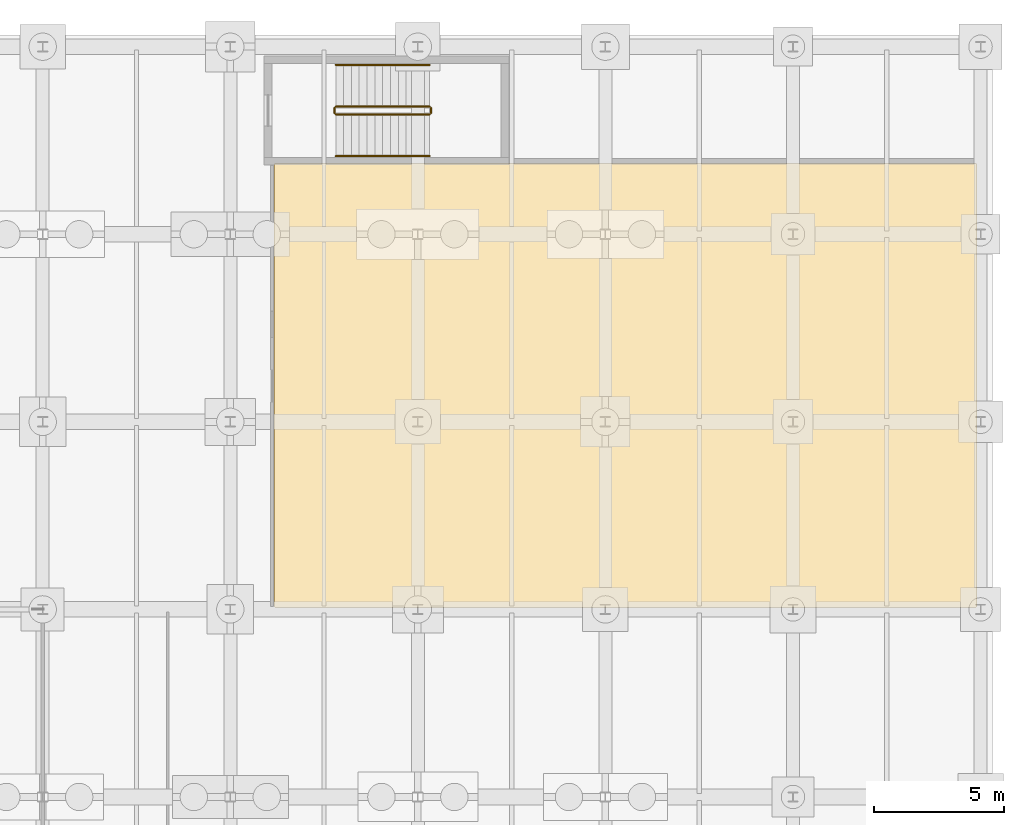
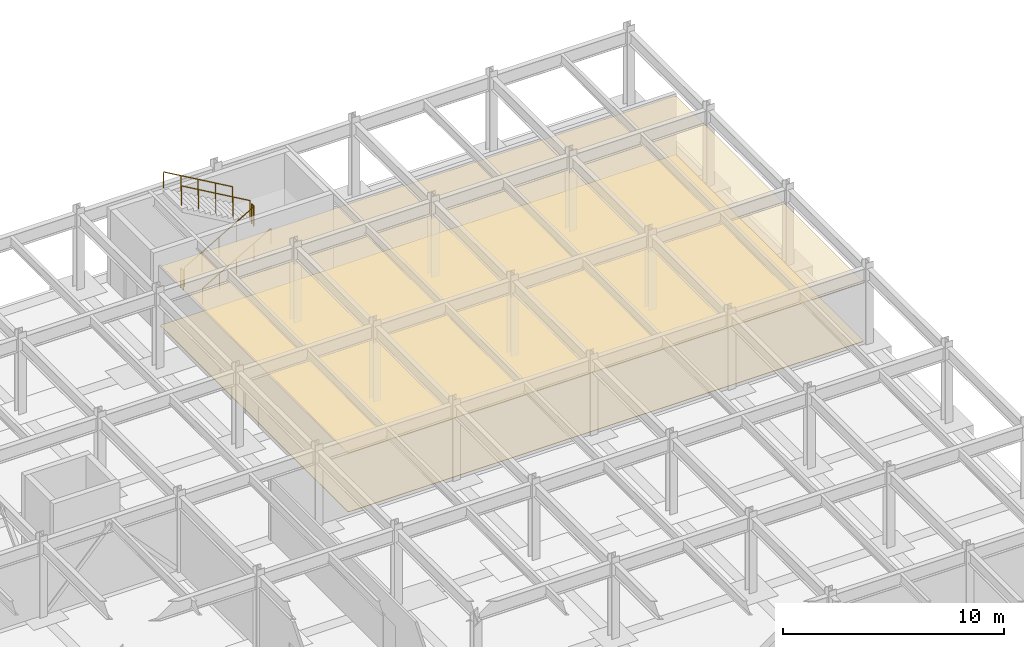
# One storey, part 53 of 54: 6 railings, 2 coverings.
"""IFC4 building model written with IfcOpenShell, lengths in metres."""

import ifcopenshell
import ifcopenshell.guid

model = None  # the IFC model being written
_history = None  # IfcOwnerHistory: only IFC2X3 demands one
_inside = {}  # id of a spatial element -> (the spatial element, [elements in it])
_under = {}  # id of a project, library or spatial element -> (it, [spatial elements below it])
_declared = {}  # id of a project -> (the project, [libraries it declares])
_typed = {}  # id of a type object -> (the type object, [elements of that type])
_made_of = {}  # id of a material, layer set ... -> (it, [elements and type objects made of it])


def new_model(schema):
    """Start an empty IFC model of exactly this schema.

    Asked for "IFC4X3", IfcOpenShell would pick the latest addendum, in which some entities
    have other attributes; the version numbers below select the first issue.
    IFC2X3 requires an IfcOwnerHistory on every rooted entity: one is made here for all.
    """
    global model, _history
    if schema == "IFC4X3":
        model = ifcopenshell.file(schema_version=(4, 3, 0, 0))
    else:
        model = ifcopenshell.file(schema=schema)
    _inside.clear()
    _under.clear()
    _declared.clear()
    _typed.clear()
    _made_of.clear()
    _history = None
    if model.schema == "IFC2X3":
        org = make("IfcOrganization", Name="unknown")
        user = make(
            "IfcPersonAndOrganization",
            ThePerson=make("IfcPerson", FamilyName="unknown"),
            TheOrganization=org,
        )
        app = make(
            "IfcApplication",
            ApplicationDeveloper=org,
            Version="unknown",
            ApplicationFullName="unknown",
            ApplicationIdentifier="unknown",
        )
        _history = make(
            "IfcOwnerHistory",
            OwningUser=user,
            OwningApplication=app,
            ChangeAction="ADDED",
            CreationDate=0,
        )
    return model


def make(cls, **values):
    """One entity of the class cls with the attributes given. An attribute that is None is left unset."""
    return model.create_entity(
        cls, **{name: value for name, value in values.items() if value is not None}
    )


def rooted(cls, **values):
    """An entity with a GlobalId (a new one), such as an element, a storey or a relation."""
    return make(cls, GlobalId=ifcopenshell.guid.new(), OwnerHistory=_history, **values)


def si_unit(unit_type, name, prefix=None):
    """IfcSIUnit, for example si_unit("LENGTHUNIT", "METRE", prefix="MILLI")."""
    return make("IfcSIUnit", UnitType=unit_type, Prefix=prefix, Name=name)


def assignment(units):
    """IfcUnitAssignment: the units of a project."""
    return None if units is None else make("IfcUnitAssignment", Units=units)


def point(xyz):
    """IfcCartesianPoint."""
    return None if xyz is None else make("IfcCartesianPoint", Coordinates=xyz)


def direction(xyz):
    """IfcDirection."""
    return None if xyz is None else make("IfcDirection", DirectionRatios=xyz)


def frame(location, z_axis=None, x_axis=None):
    """IfcAxis2Placement3D, a coordinate frame: its origin and axes. An axis left out is left unset."""
    return make(
        "IfcAxis2Placement3D",
        Location=point(location),
        Axis=direction(z_axis),
        RefDirection=direction(x_axis),
    )


def frame_2d(location, x_axis=None):
    """IfcAxis2Placement2D, a coordinate frame in the plane: its origin and x axis."""
    return make(
        "IfcAxis2Placement2D", Location=point(location), RefDirection=direction(x_axis)
    )


def origin():
    """The frame at (0, 0, 0) with its axes left unset."""
    return frame((0.0, 0.0, 0.0))


def origin_2d():
    """The frame at (0, 0) in the plane with its x axis left unset."""
    return frame_2d((0.0, 0.0))


def place(relative_to, where):
    """IfcLocalPlacement: puts the frame where relative to a parent placement (None: the world)."""
    return make(
        "IfcLocalPlacement", PlacementRelTo=relative_to, RelativePlacement=where
    )


def context(
    kind, dimensions, precision=None, world=None, true_north=None, identifier=None
):
    """IfcGeometricRepresentationContext, for example the 3D "Model" context."""
    return make(
        "IfcGeometricRepresentationContext",
        ContextIdentifier=identifier,
        ContextType=kind,
        CoordinateSpaceDimension=dimensions,
        Precision=precision,
        WorldCoordinateSystem=world,
        TrueNorth=true_north,
    )


def subcontext(parent, identifier, kind, view, scale=None):
    """IfcGeometricRepresentationSubContext, for example "Body" below "Model"."""
    return make(
        "IfcGeometricRepresentationSubContext",
        ContextIdentifier=identifier,
        ContextType=kind,
        ParentContext=parent,
        TargetScale=scale,
        TargetView=view,
    )


def project(units=None, contexts=None):
    """IfcProject with its units and contexts."""
    return rooted(
        "IfcProject",
        Name="project",
        RepresentationContexts=contexts,
        UnitsInContext=assignment(units),
    )


def spatial(cls, under=None, at=None, **own):
    """A site, building, storey or space (cls), placed at a placement, below another one or the project."""
    s = rooted(cls, ObjectPlacement=at, **own)
    if under is not None:
        _under.setdefault(under.id(), (under, []))[1].append(s)
    return s


def polyline(points):
    """IfcPolyline through the points."""
    return make("IfcPolyline", Points=[point(p) for p in points])


def profile(cls, at=None, kind="AREA", **sizes):
    """A parametric profile (cls). Its sizes go by their IFC names, for example OverallWidth=200.0."""
    return make(cls, ProfileType=kind, Position=at, **sizes)


def circle(**sizes):
    """IfcCircleProfileDef."""
    return profile("IfcCircleProfileDef", **sizes)


def outline(outer, holes=None, kind="AREA"):
    """IfcArbitraryClosedProfileDef: a profile drawn as a closed curve; with holes, ...WithVoids."""
    if holes is None:
        return make("IfcArbitraryClosedProfileDef", ProfileType=kind, OuterCurve=outer)
    return make(
        "IfcArbitraryProfileDefWithVoids",
        ProfileType=kind,
        OuterCurve=outer,
        InnerCurves=holes,
    )


def extrude(swept, where, along, depth):
    """IfcExtrudedAreaSolid: the profile swept, set in the frame where, extruded along a direction by depth."""
    return make(
        "IfcExtrudedAreaSolid",
        SweptArea=swept,
        Position=where,
        ExtrudedDirection=direction(along),
        Depth=depth,
    )


def shape(context_of_items, identifier, shape_type, items):
    """IfcShapeRepresentation: the items that make up one representation, for example the "Body"."""
    return make(
        "IfcShapeRepresentation",
        ContextOfItems=context_of_items,
        RepresentationIdentifier=identifier,
        RepresentationType=shape_type,
        Items=items,
    )


def material(Name=None, Category=None):
    """IfcMaterial."""
    return make("IfcMaterial", Name=Name, Category=Category)


def layer(
    of_material, thickness, ventilated=None, Name=None, Category=None, Priority=None
):
    """IfcMaterialLayer: one layer of a wall or slab, of a material (None: an air gap)."""
    return make(
        "IfcMaterialLayer",
        Material=of_material,
        LayerThickness=thickness,
        IsVentilated=ventilated,
        Name=Name,
        Category=Category,
        Priority=Priority,
    )


def layer_set(layers, Name=None):
    """IfcMaterialLayerSet."""
    return make("IfcMaterialLayerSet", MaterialLayers=layers, LayerSetName=Name)


def made_of(thing, what):
    """Note that an element or type object is made of a material, layer set ...; save() writes the relation."""
    if what is not None:
        _made_of.setdefault(what.id(), (what, []))[1].append(thing)
    return thing


def type_object(cls, material=None, **own):
    """A type object (cls), such as IfcWallType, which elements share."""
    return made_of(rooted(cls, **own), material)


def element(
    cls,
    number,
    at=None,
    inside=None,
    cuts=None,
    type_object=None,
    material=None,
    context=None,
    identifier="Body",
    shape_type=None,
    held_by="IfcProductDefinitionShape",
    body=None,
    shapes=None,
    **own,
):
    """One element of the class cls, such as IfcWall. Its Tag is "e" and its number.

    at: its placement. inside: the storey or other place that contains it. cuts: it is an
    opening in that element (IfcRelVoidsElement). A single representation is given by context,
    identifier, shape_type and body (its items); several are given by shapes. held_by: the class
    of the entity that holds the representations. save() writes the other relations.
    """
    e = rooted(cls, Tag="e%d" % number, ObjectPlacement=at, **own)
    if body is not None:
        shapes = [shape(context, identifier, shape_type, body)]
    if shapes is not None:
        e.Representation = make(held_by, Representations=shapes)
    if inside is not None:
        _inside.setdefault(inside.id(), (inside, []))[1].append(e)
    if cuts is not None:
        rooted(
            "IfcRelVoidsElement", RelatingBuildingElement=cuts, RelatedOpeningElement=e
        )
    if type_object is not None:
        _typed.setdefault(type_object.id(), (type_object, []))[1].append(e)
    return made_of(e, material)


def aggregate(whole, parts):
    """IfcRelAggregates: a whole, such as a stair, and the parts it consists of."""
    return rooted("IfcRelAggregates", RelatingObject=whole, RelatedObjects=parts)


def save(model, path):
    """Write the relations noted so far, then the file.

    IfcRelAggregates (storeys below a building ...), IfcRelContainedInSpatialStructure (elements
    in a storey), IfcRelDefinesByType, IfcRelAssociatesMaterial and IfcRelDeclares: one each for
    every whole, place, type object, material and project.
    """
    for whole, parts in _under.values():
        aggregate(whole, parts)
    for where, things in _inside.values():
        rooted(
            "IfcRelContainedInSpatialStructure",
            RelatedElements=things,
            RelatingStructure=where,
        )
    for kind, things in _typed.values():
        rooted("IfcRelDefinesByType", RelatedObjects=things, RelatingType=kind)
    for what, things in _made_of.values():
        rooted("IfcRelAssociatesMaterial", RelatedObjects=things, RelatingMaterial=what)
    for by, libraries in _declared.values():
        rooted("IfcRelDeclares", RelatingContext=by, RelatedDefinitions=libraries)
    model.write(path)


model = new_model("IFC4")

# Units and contexts
model_context = context("Model", 3, precision=1e-05, world=origin(), true_north=direction((0.0, 1.0)))
body_context = subcontext(model_context, "Body", "Model", "MODEL_VIEW")
ifc_project = project(units=[si_unit("LENGTHUNIT", "METRE"), si_unit("AREAUNIT", "SQUARE_METRE"), si_unit("VOLUMEUNIT", "CUBIC_METRE"), si_unit("PLANEANGLEUNIT", "RADIAN"), si_unit("MASSUNIT", "GRAM", prefix="KILO")], contexts=[model_context])

# Site, building, storey
site_placement = place(None, origin())
site = spatial("IfcSite", under=ifc_project, at=site_placement, CompositionType="ELEMENT")
building_placement = place(site_placement, origin())
building = spatial("IfcBuilding", under=site, at=building_placement, Name="Vaelcorin Mobility Hub", CompositionType="ELEMENT")
storey_placement = place(building_placement, frame((0.0, 0.0, -4.5)))
storey = spatial("IfcBuildingStorey", under=building, at=storey_placement, Name="B1", CompositionType="ELEMENT", Elevation=-4.5)

# Coverings
ifc_material_1 = material(Name="Perforated acoustic mineral-fibre ceiling tile")
ifc_layer_1 = layer(ifc_material_1, 0.02392578125)
ifc_layer_set_1 = layer_set([ifc_layer_1], Name="Perforated acoustic mineral-fibre ceiling tile")
covering_type_1 = type_object("IfcCoveringType", Name="COV-CEIL-2", PredefinedType="CEILING", material=ifc_layer_set_1)
covering_1_placement = place(storey_placement, frame((0.0, 0.0, 3.2529296875)))
element("IfcCovering", 1, at=covering_1_placement, inside=storey, type_object=covering_type_1, Name="Long-Term Cargo-Bike Vault Acoustic Ceiling", PredefinedType="CEILING", context=body_context, shape_type="SweptSolid", body=[
    extrude(outline(polyline([(176.93994140625, 98.47998046875), (176.93408203125, 98.47998046875), (176.927978515625, 98.48095703125), (176.923095703125, 98.48291015625), (176.9169921875, 98.485107421875), (176.912109375, 98.487060546875), (176.906982421875, 98.489990234375), (176.902099609375, 98.493896484375), (176.89794921875, 98.498046875), (176.89404296875, 98.501953125), (176.889892578125, 98.507080078125), (176.886962890625, 98.511962890625), (176.885009765625, 98.51708984375), (176.883056640625, 98.52294921875), (176.881103515625, 98.528076171875), (176.8798828125, 98.533935546875), (176.8798828125, 98.5400390625), (176.8798828125, 115.4599609375), (176.8798828125, 115.466064453125), (176.881103515625, 115.471923828125), (176.883056640625, 115.47705078125), (176.885009765625, 115.48291015625), (176.886962890625, 115.488037109375), (176.889892578125, 115.492919921875), (176.89404296875, 115.498046875), (176.89794921875, 115.501953125), (176.902099609375, 115.506103515625), (176.906982421875, 115.510009765625), (176.912109375, 115.512939453125), (176.9169921875, 115.514892578125), (176.923095703125, 115.51708984375), (176.927978515625, 115.51904296875), (176.93408203125, 115.52001953125), (176.93994140625, 115.52001953125), (203.800048828125, 115.52001953125), (203.805908203125, 115.52001953125), (203.81201171875, 115.51904296875), (203.81689453125, 115.51708984375), (203.822998046875, 115.514892578125), (203.827880859375, 115.512939453125), (203.8330078125, 115.510009765625), (203.837890625, 115.506103515625), (203.842041015625, 115.501953125), (203.845947265625, 115.498046875), (203.85009765625, 115.492919921875), (203.85302734375, 115.488037109375), (203.85498046875, 115.48291015625), (203.85693359375, 115.47705078125), (203.85888671875, 115.471923828125), (203.860107421875, 115.466064453125), (203.860107421875, 115.4599609375), (203.860107421875, 98.5400390625), (203.860107421875, 98.533935546875), (203.85888671875, 98.528076171875), (203.85693359375, 98.52294921875), (203.85498046875, 98.51708984375), (203.85302734375, 98.511962890625), (203.85009765625, 98.507080078125), (203.845947265625, 98.501953125), (203.842041015625, 98.498046875), (203.837890625, 98.493896484375), (203.8330078125, 98.489990234375), (203.827880859375, 98.487060546875), (203.822998046875, 98.485107421875), (203.81689453125, 98.48291015625), (203.81201171875, 98.48095703125), (203.805908203125, 98.47998046875), (203.800048828125, 98.47998046875), (176.93994140625, 98.47998046875)])), origin(), (0.0, 0.0, 1.0), 0.024169921875),
])
ifc_material_2 = material(Name="Polished epoxy-terrazzo concourse flooring")
ifc_layer_2 = layer(ifc_material_2, 0.02587890625)
ifc_layer_set_2 = layer_set([ifc_layer_2], Name="Polished epoxy-terrazzo concourse flooring")
covering_type_2 = type_object("IfcCoveringType", Name="COV-FLR-2", PredefinedType="FLOORING", material=ifc_layer_set_2)
covering_2_placement = place(storey_placement, origin())
element("IfcCovering", 2, at=covering_2_placement, inside=storey, type_object=covering_type_2, Name="Long-Term Cargo-Bike Vault Finish Flooring", PredefinedType="FLOORING", context=body_context, shape_type="SweptSolid", body=[
    extrude(outline(polyline([(176.93994140625, 98.47998046875), (176.93408203125, 98.47998046875), (176.927978515625, 98.48095703125), (176.923095703125, 98.48291015625), (176.9169921875, 98.485107421875), (176.912109375, 98.487060546875), (176.906982421875, 98.489990234375), (176.902099609375, 98.493896484375), (176.89794921875, 98.498046875), (176.89404296875, 98.501953125), (176.889892578125, 98.507080078125), (176.886962890625, 98.511962890625), (176.885009765625, 98.51708984375), (176.883056640625, 98.52294921875), (176.881103515625, 98.528076171875), (176.8798828125, 98.533935546875), (176.8798828125, 98.5400390625), (176.8798828125, 115.4599609375), (176.8798828125, 115.466064453125), (176.881103515625, 115.471923828125), (176.883056640625, 115.47705078125), (176.885009765625, 115.48291015625), (176.886962890625, 115.488037109375), (176.889892578125, 115.492919921875), (176.89404296875, 115.498046875), (176.89794921875, 115.501953125), (176.902099609375, 115.506103515625), (176.906982421875, 115.510009765625), (176.912109375, 115.512939453125), (176.9169921875, 115.514892578125), (176.923095703125, 115.51708984375), (176.927978515625, 115.51904296875), (176.93408203125, 115.52001953125), (176.93994140625, 115.52001953125), (203.800048828125, 115.52001953125), (203.805908203125, 115.52001953125), (203.81201171875, 115.51904296875), (203.81689453125, 115.51708984375), (203.822998046875, 115.514892578125), (203.827880859375, 115.512939453125), (203.8330078125, 115.510009765625), (203.837890625, 115.506103515625), (203.842041015625, 115.501953125), (203.845947265625, 115.498046875), (203.85009765625, 115.492919921875), (203.85302734375, 115.488037109375), (203.85498046875, 115.48291015625), (203.85693359375, 115.47705078125), (203.85888671875, 115.471923828125), (203.860107421875, 115.466064453125), (203.860107421875, 115.4599609375), (203.860107421875, 98.5400390625), (203.860107421875, 98.533935546875), (203.85888671875, 98.528076171875), (203.85693359375, 98.52294921875), (203.85498046875, 98.51708984375), (203.85302734375, 98.511962890625), (203.85009765625, 98.507080078125), (203.845947265625, 98.501953125), (203.842041015625, 98.498046875), (203.837890625, 98.493896484375), (203.8330078125, 98.489990234375), (203.827880859375, 98.487060546875), (203.822998046875, 98.485107421875), (203.81689453125, 98.48291015625), (203.81201171875, 98.48095703125), (203.805908203125, 98.47998046875), (203.800048828125, 98.47998046875), (176.93994140625, 98.47998046875)])), origin(), (0.0, 0.0, 1.0), 0.02587890625),
])

# Railings
ifc_material_3 = material(Name="Brushed stainless steel 316L", Category="steel")
ifc_layer_3 = layer(ifc_material_3, 0.048095703125)
ifc_layer_set_3 = layer_set([ifc_layer_3], Name="Brushed stainless steel 316L")
railing_type_1 = type_object("IfcRailingType", Name="RL-STAIR-GRD", PredefinedType="GUARDRAIL", material=ifc_layer_set_3)
railing_1_placement = place(storey_placement, frame((179.25, 117.39990234375, 0.173095703125)))
element("IfcRailing", 3, at=railing_1_placement, inside=storey, type_object=railing_type_1, Name="B1 ST6 stair guard 1", PredefinedType="GUARDRAIL", context=body_context, shape_type="SweptSolid", body=[
    extrude(circle(Radius=0.02392578125, at=origin_2d()), frame((0.0, 0.0, 1.076171875), z_axis=(0.866193409371, 0.0, 0.499708892819), x_axis=(0.0, 1.0, 0.0)), (0.0, 0.0, 1.0), 4.15625),
    extrude(circle(Radius=0.02099609375, at=origin_2d()), origin(), (0.0, 0.0, 1.0), 1.052001953125),
    extrude(circle(Radius=0.02099609375, at=origin_2d()), frame((0.89990234375, 0.0, 0.519287109375)), (0.0, 0.0, 1.0), 1.052001953125),
    extrude(circle(Radius=0.02099609375, at=origin_2d()), frame((1.800048828125, 0.0, 1.03857421875)), (0.0, 0.0, 1.0), 1.052001953125),
    extrude(circle(Radius=0.02099609375, at=origin_2d()), frame((2.7001953125, 0.0, 1.5576171875)), (0.0, 0.0, 1.0), 1.052001953125),
    extrude(circle(Radius=0.02099609375, at=origin_2d()), frame((3.60009765625, 0.0, 2.076904296875)), (0.0, 0.0, 1.0), 1.052001953125),
])
railing_2_placement = place(storey_placement, frame((182.89990234375, 117.449951171875, 2.25)))
element("IfcRailing", 4, at=railing_2_placement, inside=storey, type_object=railing_type_1, Name="B1 ST6 stair guard 2", PredefinedType="GUARDRAIL", context=body_context, shape_type="SweptSolid", body=[
    extrude(circle(Radius=0.02392578125, at=origin_2d()), frame((0.0, 0.0, 1.076171875), z_axis=(0.0, 1.0, 0.0), x_axis=(-1.0, 0.0, 0.0)), (0.0, 0.0, 1.0), 0.199951171875),
    extrude(circle(Radius=0.02099609375, at=origin_2d()), origin(), (0.0, 0.0, 1.0), 1.052001953125),
    extrude(circle(Radius=0.02099609375, at=origin_2d()), frame((0.0, 0.199951171875, 0.0)), (0.0, 0.0, 1.0), 1.052001953125),
])
railing_3_placement = place(storey_placement, frame((182.85009765625, 117.699951171875, 2.423095703125)))
element("IfcRailing", 5, at=railing_3_placement, inside=storey, type_object=railing_type_1, Name="B1 ST6 stair guard 3", PredefinedType="GUARDRAIL", context=body_context, shape_type="SweptSolid", body=[
    extrude(circle(Radius=0.02392578125, at=origin_2d()), frame((0.0, 0.0, 1.076171875), z_axis=(-0.866193409371, 0.0, 0.499708892819), x_axis=(0.0, -1.0, 0.0)), (0.0, 0.0, 1.0), 4.15625),
    extrude(circle(Radius=0.02099609375, at=origin_2d()), origin(), (0.0, 0.0, 1.0), 1.052001953125),
    extrude(circle(Radius=0.02099609375, at=origin_2d()), frame((-0.89990234375, 0.0, 0.519287109375)), (0.0, 0.0, 1.0), 1.052001953125),
    extrude(circle(Radius=0.02099609375, at=origin_2d()), frame((-1.800048828125, 0.0, 1.03857421875)), (0.0, 0.0, 1.0), 1.052001953125),
    extrude(circle(Radius=0.02099609375, at=origin_2d()), frame((-2.7001953125, 0.0, 1.5576171875)), (0.0, 0.0, 1.0), 1.052001953125),
    extrude(circle(Radius=0.02099609375, at=origin_2d()), frame((-3.60009765625, 0.0, 2.076904296875)), (0.0, 0.0, 1.0), 1.052001953125),
])
railing_4_placement = place(storey_placement, frame((179.199951171875, 117.449951171875, 0.0)))
element("IfcRailing", 6, at=railing_4_placement, inside=storey, type_object=railing_type_1, Name="B1 ST6 stair guard 4", PredefinedType="GUARDRAIL", context=body_context, shape_type="SweptSolid", body=[
    extrude(circle(Radius=0.02392578125, at=origin_2d()), frame((0.0, 0.0, 1.076171875), z_axis=(0.0, 1.0, 0.0), x_axis=(-1.0, 0.0, 0.0)), (0.0, 0.0, 1.0), 0.199951171875),
    extrude(circle(Radius=0.02099609375, at=origin_2d()), origin(), (0.0, 0.0, 1.0), 1.052001953125),
    extrude(circle(Radius=0.02099609375, at=origin_2d()), frame((0.0, 0.199951171875, 0.0)), (0.0, 0.0, 1.0), 1.052001953125),
])
ifc_layer_4 = layer(ifc_material_3, 0.048095703125)
ifc_layer_set_4 = layer_set([ifc_layer_4], Name="Brushed stainless steel 316L")
railing_type_2 = type_object("IfcRailingType", Name="RL-STAIR-HR", PredefinedType="HANDRAIL", material=ifc_layer_set_4)
railing_5_placement = place(storey_placement, frame((179.25, 115.800048828125, 0.173095703125)))
element("IfcRailing", 7, at=railing_5_placement, inside=storey, type_object=railing_type_2, Name="B1 ST6 stair handrail 1", PredefinedType="HANDRAIL", context=body_context, shape_type="SweptSolid", body=[
    extrude(circle(Radius=0.02392578125, at=origin_2d()), frame((0.0, 0.0, 0.8759765625), z_axis=(0.866193409371, 0.0, 0.499708892819), x_axis=(0.0, 1.0, 0.0)), (0.0, 0.0, 1.0), 4.15625),
    extrude(circle(Radius=0.02099609375, at=origin_2d()), origin(), (0.0, 0.0, 1.0), 0.851806640625),
    extrude(circle(Radius=0.02099609375, at=origin_2d()), frame((0.89990234375, 0.0, 0.519287109375)), (0.0, 0.0, 1.0), 0.851806640625),
    extrude(circle(Radius=0.02099609375, at=origin_2d()), frame((1.800048828125, 0.0, 1.03857421875)), (0.0, 0.0, 1.0), 0.851806640625),
    extrude(circle(Radius=0.02099609375, at=origin_2d()), frame((2.7001953125, 0.0, 1.5576171875)), (0.0, 0.0, 1.0), 0.851806640625),
    extrude(circle(Radius=0.02099609375, at=origin_2d()), frame((3.60009765625, 0.0, 2.076904296875)), (0.0, 0.0, 1.0), 0.851806640625),
])
railing_6_placement = place(storey_placement, frame((182.85009765625, 119.300048828125, 2.423095703125)))
element("IfcRailing", 8, at=railing_6_placement, inside=storey, type_object=railing_type_2, Name="B1 ST6 stair handrail 2", PredefinedType="HANDRAIL", context=body_context, shape_type="SweptSolid", body=[
    extrude(circle(Radius=0.02392578125, at=origin_2d()), frame((0.0, 0.0, 0.8759765625), z_axis=(-0.866193409371, 0.0, 0.499708892819), x_axis=(0.0, -1.0, 0.0)), (0.0, 0.0, 1.0), 4.15625),
    extrude(circle(Radius=0.02099609375, at=origin_2d()), origin(), (0.0, 0.0, 1.0), 0.851806640625),
    extrude(circle(Radius=0.02099609375, at=origin_2d()), frame((-0.89990234375, 0.0, 0.519287109375)), (0.0, 0.0, 1.0), 0.851806640625),
    extrude(circle(Radius=0.02099609375, at=origin_2d()), frame((-1.800048828125, 0.0, 1.03857421875)), (0.0, 0.0, 1.0), 0.851806640625),
    extrude(circle(Radius=0.02099609375, at=origin_2d()), frame((-2.7001953125, 0.0, 1.5576171875)), (0.0, 0.0, 1.0), 0.851806640625),
    extrude(circle(Radius=0.02099609375, at=origin_2d()), frame((-3.60009765625, 0.0, 2.076904296875)), (0.0, 0.0, 1.0), 0.851806640625),
])

save(model, "model.ifc")
